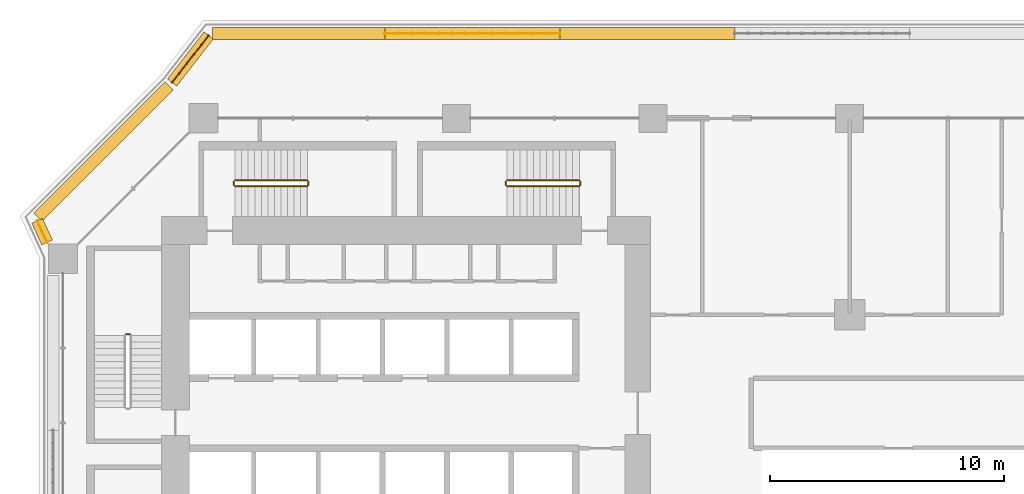
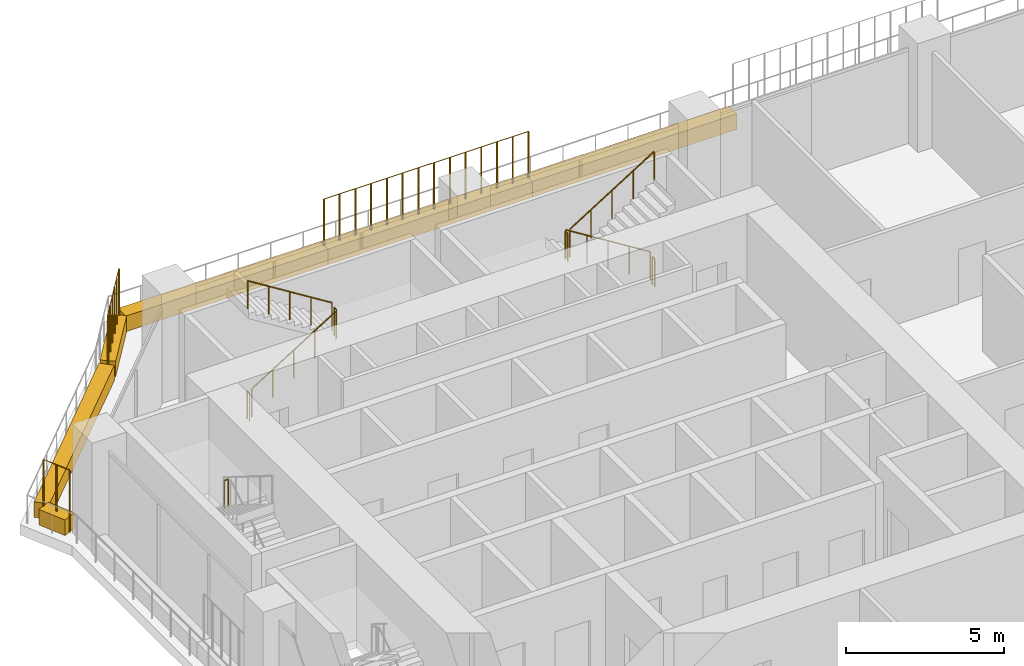
# One storey, part 26 of 28: 12 railings, 6 coverings.
"""IFC4 building model written with IfcOpenShell, lengths in metres."""

from ifc_helpers import new_model, si_unit, direction, frame, origin, origin_2d, place, context, subcontext, project, spatial, rectangle, circle, extrude, material, material_profile, profile_set, type_object, element, save


model = new_model("IFC4")

# Units and contexts
model_context = context("Model", 3, precision=1e-05, world=origin(), true_north=direction((0.0, 1.0)))
body_context = subcontext(model_context, "Body", "Model", "MODEL_VIEW")
ifc_project = project(units=[si_unit("LENGTHUNIT", "METRE"), si_unit("AREAUNIT", "SQUARE_METRE"), si_unit("VOLUMEUNIT", "CUBIC_METRE"), si_unit("PLANEANGLEUNIT", "RADIAN"), si_unit("MASSUNIT", "GRAM", prefix="KILO")], contexts=[model_context])

# Site, building, storey
site_placement = place(None, origin())
site = spatial("IfcSite", under=ifc_project, at=site_placement, CompositionType="ELEMENT")
building_placement = place(site_placement, origin())
building = spatial("IfcBuilding", under=site, at=building_placement, Name="Kawkab Arch Medical Tower", CompositionType="ELEMENT")
storey_placement = place(building_placement, frame((0.0, 0.0, 89.60009765625)))
storey = spatial("IfcBuildingStorey", under=building, at=storey_placement, Name="L20", CompositionType="ELEMENT", Elevation=89.60009765625)

# Coverings
ifc_material_1 = material(Name="Planting soil in a precast trough", Category="concrete")
ifc_material_profile = material_profile(ifc_material_1, rectangle(XDim=0.5, YDim=0.60009765625, at=origin_2d()), Name="Trough 500x600")
ifc_profile_set = profile_set([ifc_material_profile], Name="Planting soil in a precast trough")
covering_type = type_object("IfcCoveringType", Name="Planter trough 500 x 600", PredefinedType="USERDEFINED", material=ifc_profile_set)
covering_1_placement = place(storey_placement, frame((-0.680908203125, -5.302001953125, 0.2998046875), z_axis=(-0.415071571878, 0.909788761317, 0.0), x_axis=(-0.909788761317, -0.415071571878, 0.0)))
element("IfcCovering", 1, at=covering_1_placement, inside=storey, type_object=covering_type, Name="Planter L20.LOG-01-01.17", ObjectType="PLANTER", PredefinedType="USERDEFINED", context=body_context, shape_type="SweptSolid", body=[
    extrude(rectangle(XDim=0.5, YDim=0.60009765625, at=origin_2d()), origin(), (0.0, 0.0, 1.0), 1.0146484375),
])
covering_2_placement = place(storey_placement, frame((-1.072998046875, -4.217041015625, 0.2998046875), z_axis=(0.707106781187, 0.707106781187, 0.0), x_axis=(-0.707106781187, 0.707106781187, 0.0)))
element("IfcCovering", 2, at=covering_2_placement, inside=storey, type_object=covering_type, Name="Planter L20.LOG-01-01.18", ObjectType="PLANTER", PredefinedType="USERDEFINED", context=body_context, shape_type="SweptSolid", body=[
    extrude(rectangle(XDim=0.5, YDim=0.60009765625, at=origin_2d()), origin(), (0.0, 0.0, 1.0), 7.919677734375),
])
covering_3_placement = place(storey_placement, frame((4.658935546875, 1.531982421875, 0.2998046875), z_axis=(0.61404021143, 0.789274742246, 0.0), x_axis=(-0.789274742246, 0.61404021143, 0.0)))
element("IfcCovering", 3, at=covering_3_placement, inside=storey, type_object=covering_type, Name="Planter L20.LOG-01-01.19", ObjectType="PLANTER", PredefinedType="USERDEFINED", context=body_context, shape_type="SweptSolid", body=[
    extrude(rectangle(XDim=0.5, YDim=0.60009765625, at=origin_2d()), origin(), (0.0, 0.0, 1.0), 2.54541015625),
])
covering_4_placement = place(storey_placement, frame((6.384033203125, 3.6201171875, 0.2998046875), z_axis=(1.0, 0.0, 0.0), x_axis=(0.0, 1.0, 0.0)))
element("IfcCovering", 4, at=covering_4_placement, inside=storey, type_object=covering_type, Name="Planter L20.LOG-01-01.20", ObjectType="PLANTER", PredefinedType="USERDEFINED", context=body_context, shape_type="SweptSolid", body=[
    extrude(rectangle(XDim=0.5, YDim=0.60009765625, at=origin_2d()), origin(), (0.0, 0.0, 1.0), 7.369873046875),
])
covering_5_placement = place(storey_placement, frame((13.75390625, 3.6201171875, 0.2998046875), z_axis=(1.0, 0.0, 0.0), x_axis=(0.0, 1.0, 0.0)))
element("IfcCovering", 5, at=covering_5_placement, inside=storey, type_object=covering_type, Name="Planter L20.LOG-01-01.21", ObjectType="PLANTER", PredefinedType="USERDEFINED", context=body_context, shape_type="SweptSolid", body=[
    extrude(rectangle(XDim=0.5, YDim=0.60009765625, at=origin_2d()), origin(), (0.0, 0.0, 1.0), 7.47021484375),
])
covering_6_placement = place(storey_placement, frame((21.22412109375, 3.6201171875, 0.2998046875), z_axis=(1.0, 0.0, 0.0), x_axis=(0.0, 1.0, 0.0)))
element("IfcCovering", 6, at=covering_6_placement, inside=storey, type_object=covering_type, Name="Planter L20.LOG-01-01.22", ObjectType="PLANTER", PredefinedType="USERDEFINED", context=body_context, shape_type="SweptSolid", body=[
    extrude(rectangle(XDim=0.5, YDim=0.60009765625, at=origin_2d()), origin(), (0.0, 0.0, 1.0), 7.470947265625),
])

# Railings
ifc_material_2 = material(Name="Bronze anodised aluminium trellis for climbing plants", Category="aluminium")
railing_type_1 = type_object("IfcRailingType", Name="Planting trellis 2400", PredefinedType="USERDEFINED", material=ifc_material_2)
railing_1_placement = place(storey_placement, frame((-0.680908203125, -5.302001953125, 0.0)))
element("IfcRailing", 7, at=railing_1_placement, inside=storey, type_object=railing_type_1, Name="Planting trellis L20.LOG-01-01.17", ObjectType="TRELLIS", PredefinedType="USERDEFINED", context=body_context, shape_type="SweptSolid", body=[
    extrude(circle(Radius=0.01513671875, at=origin_2d()), frame((0.0, 0.0, 2.384765625), z_axis=(-0.415071571878, 0.909788761317, 0.0), x_axis=(-0.909788761317, -0.415071571878, 0.0)), (0.0, 0.0, 1.0), 1.0146484375),
    extrude(circle(Radius=0.030029296875, at=origin_2d()), origin(), (0.0, 0.0, 1.0), 2.369873046875),
    extrude(circle(Radius=0.030029296875, at=origin_2d()), frame((-0.21044921875, 0.46142578125, 0.0)), (0.0, 0.0, 1.0), 2.369873046875),
    extrude(circle(Radius=0.030029296875, at=origin_2d()), frame((-0.421142578125, 0.923095703125, 0.0)), (0.0, 0.0, 1.0), 2.369873046875),
])
railing_2_placement = place(storey_placement, frame((4.658935546875, 1.531982421875, 0.0)))
element("IfcRailing", 8, at=railing_2_placement, inside=storey, type_object=railing_type_1, Name="Planting trellis L20.LOG-01-01.19", ObjectType="TRELLIS", PredefinedType="USERDEFINED", context=body_context, shape_type="SweptSolid", body=[
    extrude(circle(Radius=0.01513671875, at=origin_2d()), frame((0.0, 0.0, 2.384765625), z_axis=(0.61404021143, 0.789274742246, 0.0), x_axis=(-0.789274742246, 0.61404021143, 0.0)), (0.0, 0.0, 1.0), 2.54541015625),
    extrude(circle(Radius=0.030029296875, at=origin_2d()), origin(), (0.0, 0.0, 1.0), 2.369873046875),
    extrude(circle(Radius=0.030029296875, at=origin_2d()), frame((0.3125, 0.40185546875, 0.0)), (0.0, 0.0, 1.0), 2.369873046875),
    extrude(circle(Radius=0.030029296875, at=origin_2d()), frame((0.625244140625, 0.8037109375, 0.0)), (0.0, 0.0, 1.0), 2.369873046875),
    extrude(circle(Radius=0.030029296875, at=origin_2d()), frame((0.937744140625, 1.205322265625, 0.0)), (0.0, 0.0, 1.0), 2.369873046875),
    extrude(circle(Radius=0.030029296875, at=origin_2d()), frame((1.25048828125, 1.607177734375, 0.0)), (0.0, 0.0, 1.0), 2.369873046875),
    extrude(circle(Radius=0.030029296875, at=origin_2d()), frame((1.56298828125, 2.009033203125, 0.0)), (0.0, 0.0, 1.0), 2.369873046875),
])
railing_3_placement = place(storey_placement, frame((13.75390625, 3.6201171875, 0.0)))
element("IfcRailing", 9, at=railing_3_placement, inside=storey, type_object=railing_type_1, Name="Planting trellis L20.LOG-01-01.21", ObjectType="TRELLIS", PredefinedType="USERDEFINED", context=body_context, shape_type="SweptSolid", body=[
    extrude(circle(Radius=0.01513671875, at=origin_2d()), frame((0.0, 0.0, 2.384765625), z_axis=(1.0, 0.0, 0.0), x_axis=(0.0, 1.0, 0.0)), (0.0, 0.0, 1.0), 7.47021484375),
    extrude(circle(Radius=0.030029296875, at=origin_2d()), origin(), (0.0, 0.0, 1.0), 2.369873046875),
    extrude(circle(Radius=0.030029296875, at=origin_2d()), frame((0.57470703125, 0.0, 0.0)), (0.0, 0.0, 1.0), 2.369873046875),
    extrude(circle(Radius=0.030029296875, at=origin_2d()), frame((1.149169921875, 0.0, 0.0)), (0.0, 0.0, 1.0), 2.369873046875),
    extrude(circle(Radius=0.030029296875, at=origin_2d()), frame((1.723876953125, 0.0, 0.0)), (0.0, 0.0, 1.0), 2.369873046875),
    extrude(circle(Radius=0.030029296875, at=origin_2d()), frame((2.298583984375, 0.0, 0.0)), (0.0, 0.0, 1.0), 2.369873046875),
    extrude(circle(Radius=0.030029296875, at=origin_2d()), frame((2.873046875, 0.0, 0.0)), (0.0, 0.0, 1.0), 2.369873046875),
    extrude(circle(Radius=0.030029296875, at=origin_2d()), frame((3.44775390625, 0.0, 0.0)), (0.0, 0.0, 1.0), 2.369873046875),
    extrude(circle(Radius=0.030029296875, at=origin_2d()), frame((4.0224609375, 0.0, 0.0)), (0.0, 0.0, 1.0), 2.369873046875),
    extrude(circle(Radius=0.030029296875, at=origin_2d()), frame((4.59716796875, 0.0, 0.0)), (0.0, 0.0, 1.0), 2.369873046875),
    extrude(circle(Radius=0.030029296875, at=origin_2d()), frame((5.171630859375, 0.0, 0.0)), (0.0, 0.0, 1.0), 2.369873046875),
    extrude(circle(Radius=0.030029296875, at=origin_2d()), frame((5.746337890625, 0.0, 0.0)), (0.0, 0.0, 1.0), 2.369873046875),
    extrude(circle(Radius=0.030029296875, at=origin_2d()), frame((6.321044921875, 0.0, 0.0)), (0.0, 0.0, 1.0), 2.369873046875),
    extrude(circle(Radius=0.030029296875, at=origin_2d()), frame((6.8955078125, 0.0, 0.0)), (0.0, 0.0, 1.0), 2.369873046875),
    extrude(circle(Radius=0.030029296875, at=origin_2d()), frame((7.47021484375, 0.0, 0.0)), (0.0, 0.0, 1.0), 2.369873046875),
])
ifc_material_3 = material(Name="Stainless steel", Category="steel")
railing_type_2 = type_object("IfcRailingType", Name="Stair guard 1100", PredefinedType="GUARDRAIL", material=ifc_material_3)
railing_4_placement = place(storey_placement, frame((2.85009765625, -9.219970703125, 2.099853515625)))
element("IfcRailing", 10, at=railing_4_placement, inside=storey, type_object=railing_type_2, Name="L20 ST1 stair guard 2", PredefinedType="GUARDRAIL", context=body_context, shape_type="SweptSolid", body=[
    extrude(circle(Radius=0.02392578125, at=origin_2d()), frame((0.0, 0.0, 1.076171875), z_axis=(-1.0, 0.0, 0.0), x_axis=(0.0, -1.0, 0.0)), (0.0, 0.0, 1.0), 0.150146484375),
    extrude(circle(Radius=0.02099609375, at=origin_2d()), origin(), (0.0, 0.0, 1.0), 1.052001953125),
    extrude(circle(Radius=0.02099609375, at=origin_2d()), frame((-0.150146484375, 0.0, 0.0)), (0.0, 0.0, 1.0), 1.052001953125),
])
railing_5_placement = place(storey_placement, frame((7.35009765625, -2.89990234375, 0.1748046875)))
element("IfcRailing", 11, at=railing_5_placement, inside=storey, type_object=railing_type_2, Name="L20 ST3 stair guard 1", PredefinedType="GUARDRAIL", context=body_context, shape_type="SweptSolid", body=[
    extrude(circle(Radius=0.02392578125, at=origin_2d()), frame((0.0, 0.0, 1.076171875), z_axis=(0.847979421464, 0.0, 0.530029150871), x_axis=(0.0, 1.0, 0.0)), (0.0, 0.0, 1.0), 3.632080078125),
    extrude(circle(Radius=0.02099609375, at=origin_2d()), origin(), (0.0, 0.0, 1.0), 1.052001953125),
    extrude(circle(Radius=0.02099609375, at=origin_2d()), frame((0.77001953125, 0.0, 0.481201171875)), (0.0, 0.0, 1.0), 1.052001953125),
    extrude(circle(Radius=0.02099609375, at=origin_2d()), frame((1.5400390625, 0.0, 0.96240234375)), (0.0, 0.0, 1.0), 1.052001953125),
    extrude(circle(Radius=0.02099609375, at=origin_2d()), frame((2.309814453125, 0.0, 1.44384765625)), (0.0, 0.0, 1.0), 1.052001953125),
    extrude(circle(Radius=0.02099609375, at=origin_2d()), frame((3.079833984375, 0.0, 1.925048828125)), (0.0, 0.0, 1.0), 1.052001953125),
])
railing_6_placement = place(storey_placement, frame((10.47998046875, -2.85009765625, 2.099853515625)))
element("IfcRailing", 12, at=railing_6_placement, inside=storey, type_object=railing_type_2, Name="L20 ST3 stair guard 2", PredefinedType="GUARDRAIL", context=body_context, shape_type="SweptSolid", body=[
    extrude(circle(Radius=0.02392578125, at=origin_2d()), frame((0.0, 0.0, 1.076171875), z_axis=(0.0, 1.0, 0.0), x_axis=(-1.0, 0.0, 0.0)), (0.0, 0.0, 1.0), 0.150146484375),
    extrude(circle(Radius=0.02099609375, at=origin_2d()), origin(), (0.0, 0.0, 1.0), 1.052001953125),
    extrude(circle(Radius=0.02099609375, at=origin_2d()), frame((0.0, 0.150146484375, 0.0)), (0.0, 0.0, 1.0), 1.052001953125),
])
railing_7_placement = place(storey_placement, frame((10.429931640625, -2.64990234375, 2.27490234375)))
element("IfcRailing", 13, at=railing_7_placement, inside=storey, type_object=railing_type_2, Name="L20 ST3 stair guard 3", PredefinedType="GUARDRAIL", context=body_context, shape_type="SweptSolid", body=[
    extrude(circle(Radius=0.02392578125, at=origin_2d()), frame((0.0, 0.0, 1.076171875), z_axis=(-0.847979421464, 0.0, 0.530029150871), x_axis=(0.0, -1.0, 0.0)), (0.0, 0.0, 1.0), 3.632080078125),
    extrude(circle(Radius=0.02099609375, at=origin_2d()), origin(), (0.0, 0.0, 1.0), 1.052001953125),
    extrude(circle(Radius=0.02099609375, at=origin_2d()), frame((-0.77001953125, 0.0, 0.481201171875)), (0.0, 0.0, 1.0), 1.052001953125),
    extrude(circle(Radius=0.02099609375, at=origin_2d()), frame((-1.5400390625, 0.0, 0.96240234375)), (0.0, 0.0, 1.0), 1.052001953125),
    extrude(circle(Radius=0.02099609375, at=origin_2d()), frame((-2.309814453125, 0.0, 1.44384765625)), (0.0, 0.0, 1.0), 1.052001953125),
    extrude(circle(Radius=0.02099609375, at=origin_2d()), frame((-3.079833984375, 0.0, 1.925048828125)), (0.0, 0.0, 1.0), 1.052001953125),
])
railing_8_placement = place(storey_placement, frame((7.300048828125, -2.85009765625, 0.0)))
element("IfcRailing", 14, at=railing_8_placement, inside=storey, type_object=railing_type_2, Name="L20 ST3 stair guard 4", PredefinedType="GUARDRAIL", context=body_context, shape_type="SweptSolid", body=[
    extrude(circle(Radius=0.02392578125, at=origin_2d()), frame((0.0, 0.0, 1.076171875), z_axis=(0.0, 1.0, 0.0), x_axis=(-1.0, 0.0, 0.0)), (0.0, 0.0, 1.0), 0.150146484375),
    extrude(circle(Radius=0.02099609375, at=origin_2d()), origin(), (0.0, 0.0, 1.0), 1.052001953125),
    extrude(circle(Radius=0.02099609375, at=origin_2d()), frame((0.0, 0.150146484375, 0.0)), (0.0, 0.0, 1.0), 1.052001953125),
])
railing_9_placement = place(storey_placement, frame((22.050048828125, -2.64990234375, 0.1748046875)))
element("IfcRailing", 15, at=railing_9_placement, inside=storey, type_object=railing_type_2, Name="L20 ST4 stair guard 1", PredefinedType="GUARDRAIL", context=body_context, shape_type="SweptSolid", body=[
    extrude(circle(Radius=0.02392578125, at=origin_2d()), frame((0.0, 0.0, 1.076171875), z_axis=(-0.847998304005, 0.0, 0.529998940003), x_axis=(0.0, -1.0, 0.0)), (0.0, 0.0, 1.0), 3.632080078125),
    extrude(circle(Radius=0.02099609375, at=origin_2d()), origin(), (0.0, 0.0, 1.0), 1.052001953125),
    extrude(circle(Radius=0.02099609375, at=origin_2d()), frame((-0.77001953125, 0.0, 0.481201171875)), (0.0, 0.0, 1.0), 1.052001953125),
    extrude(circle(Radius=0.02099609375, at=origin_2d()), frame((-1.5400390625, 0.0, 0.96240234375)), (0.0, 0.0, 1.0), 1.052001953125),
    extrude(circle(Radius=0.02099609375, at=origin_2d()), frame((-2.31005859375, 0.0, 1.44384765625)), (0.0, 0.0, 1.0), 1.052001953125),
    extrude(circle(Radius=0.02099609375, at=origin_2d()), frame((-3.080078125, 0.0, 1.925048828125)), (0.0, 0.0, 1.0), 1.052001953125),
])
railing_10_placement = place(storey_placement, frame((18.919921875, -2.699951171875, 2.099853515625)))
element("IfcRailing", 16, at=railing_10_placement, inside=storey, type_object=railing_type_2, Name="L20 ST4 stair guard 2", PredefinedType="GUARDRAIL", context=body_context, shape_type="SweptSolid", body=[
    extrude(circle(Radius=0.02392578125, at=origin_2d()), frame((0.0, 0.0, 1.076171875), z_axis=(0.0, -1.0, 0.0), x_axis=(1.0, 0.0, 0.0)), (0.0, 0.0, 1.0), 0.150146484375),
    extrude(circle(Radius=0.02099609375, at=origin_2d()), origin(), (0.0, 0.0, 1.0), 1.052001953125),
    extrude(circle(Radius=0.02099609375, at=origin_2d()), frame((0.0, -0.150146484375, 0.0)), (0.0, 0.0, 1.0), 1.052001953125),
])
railing_11_placement = place(storey_placement, frame((18.969970703125, -2.89990234375, 2.27490234375)))
element("IfcRailing", 17, at=railing_11_placement, inside=storey, type_object=railing_type_2, Name="L20 ST4 stair guard 3", PredefinedType="GUARDRAIL", context=body_context, shape_type="SweptSolid", body=[
    extrude(circle(Radius=0.02392578125, at=origin_2d()), frame((0.0, 0.0, 1.076171875), z_axis=(0.847998304005, 0.0, 0.529998940003), x_axis=(0.0, 1.0, 0.0)), (0.0, 0.0, 1.0), 3.632080078125),
    extrude(circle(Radius=0.02099609375, at=origin_2d()), origin(), (0.0, 0.0, 1.0), 1.052001953125),
    extrude(circle(Radius=0.02099609375, at=origin_2d()), frame((0.77001953125, 0.0, 0.481201171875)), (0.0, 0.0, 1.0), 1.052001953125),
    extrude(circle(Radius=0.02099609375, at=origin_2d()), frame((1.5400390625, 0.0, 0.96240234375)), (0.0, 0.0, 1.0), 1.052001953125),
    extrude(circle(Radius=0.02099609375, at=origin_2d()), frame((2.31005859375, 0.0, 1.44384765625)), (0.0, 0.0, 1.0), 1.052001953125),
    extrude(circle(Radius=0.02099609375, at=origin_2d()), frame((3.080078125, 0.0, 1.925048828125)), (0.0, 0.0, 1.0), 1.052001953125),
])
railing_12_placement = place(storey_placement, frame((22.10009765625, -2.699951171875, 0.0)))
element("IfcRailing", 18, at=railing_12_placement, inside=storey, type_object=railing_type_2, Name="L20 ST4 stair guard 4", PredefinedType="GUARDRAIL", context=body_context, shape_type="SweptSolid", body=[
    extrude(circle(Radius=0.02392578125, at=origin_2d()), frame((0.0, 0.0, 1.076171875), z_axis=(0.0, -1.0, 0.0), x_axis=(1.0, 0.0, 0.0)), (0.0, 0.0, 1.0), 0.150146484375),
    extrude(circle(Radius=0.02099609375, at=origin_2d()), origin(), (0.0, 0.0, 1.0), 1.052001953125),
    extrude(circle(Radius=0.02099609375, at=origin_2d()), frame((0.0, -0.150146484375, 0.0)), (0.0, 0.0, 1.0), 1.052001953125),
])

save(model, "model.ifc")
